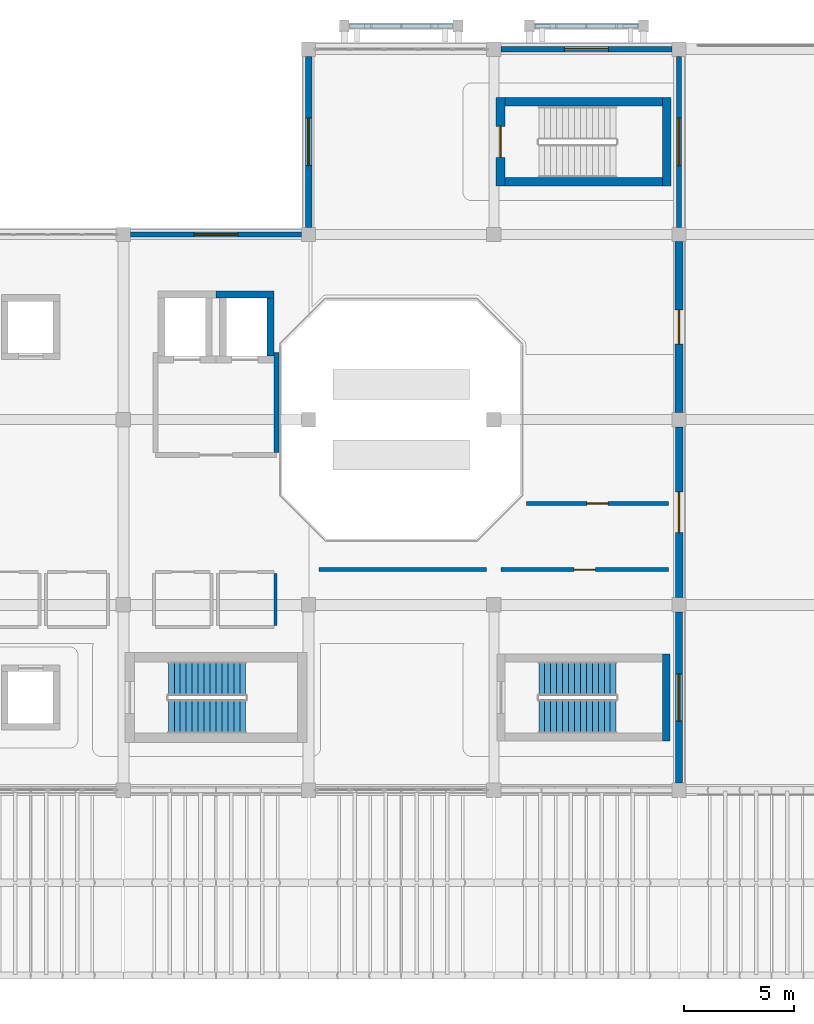
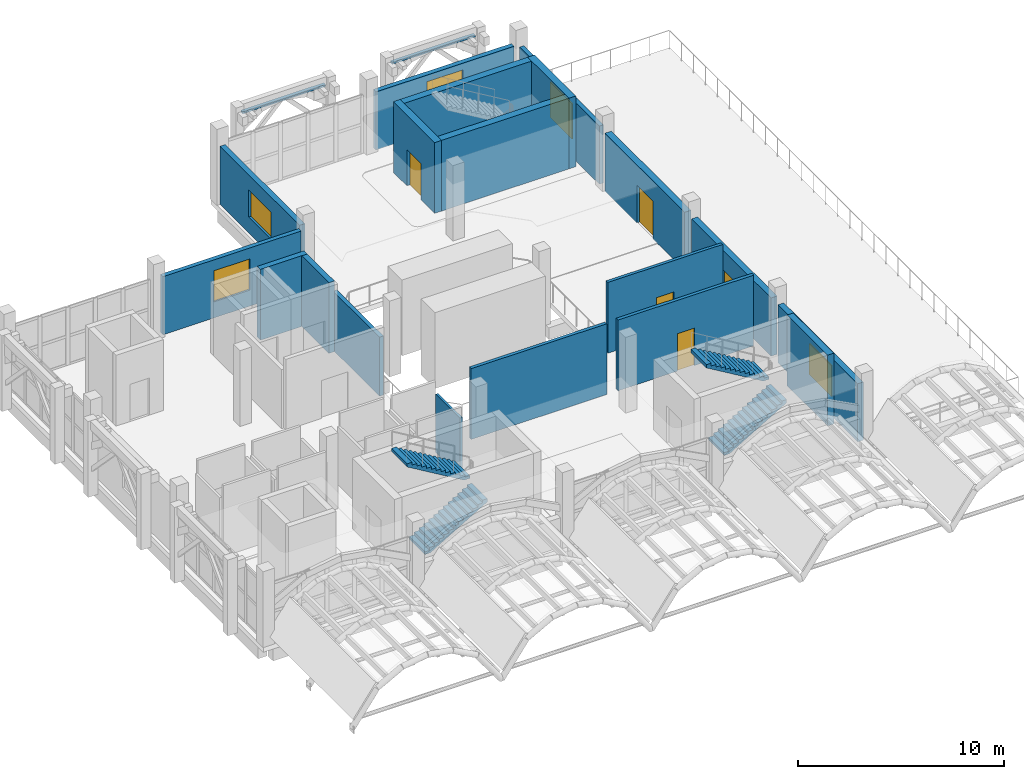
# One storey, part 17 of 22: 21 walls, 5 doors, 5 windows, 4 stair flights, 10 openings, 2 elements without a shape of their own.
"""IFC4 building model written with IfcOpenShell, lengths in metres."""

from ifc_helpers import new_model, si_unit, direction, frame, frame_2d, origin, place, context, subcontext, project, spatial, polyline, rectangle, outline, extrude, material, layer, layer_set, type_object, element, fill, aggregate, save


model = new_model("IFC4")

# Units and contexts
model_context = context("Model", 3, precision=1e-05, world=origin(), true_north=direction((0.0, 1.0)))
body_context = subcontext(model_context, "Body", "Model", "MODEL_VIEW")
ifc_project = project(units=[si_unit("LENGTHUNIT", "METRE"), si_unit("AREAUNIT", "SQUARE_METRE"), si_unit("VOLUMEUNIT", "CUBIC_METRE"), si_unit("PLANEANGLEUNIT", "RADIAN"), si_unit("MASSUNIT", "GRAM", prefix="KILO")], contexts=[model_context])

# Site, building, storey
site_placement = place(None, origin())
site = spatial("IfcSite", under=ifc_project, at=site_placement, CompositionType="ELEMENT")
building_placement = place(site_placement, origin())
building = spatial("IfcBuilding", under=site, at=building_placement, Name="Xazarin Passage Department Store", CompositionType="ELEMENT")
storey_placement = place(building_placement, frame((0.0, 0.0, 27.89990234375)))
storey = spatial("IfcBuildingStorey", under=building, at=storey_placement, Name="L06", CompositionType="ELEMENT", Elevation=27.89990234375)

# Wall, opening, door
ifc_material_1 = material(Name="Buff Baku clay brick", Category="masonry")
ifc_layer_1 = layer(ifc_material_1, 0.169921875)
ifc_layer_set_1 = layer_set([ifc_layer_1], Name="Buff Baku clay brick")
wall_type_1 = type_object("IfcWallType", Name="ARC-W-CMP170", PredefinedType="PARTITIONING", material=ifc_layer_set_1)
wall_1_placement = place(storey_placement, frame((26.673583984375, 89.39990234375, 0.0), z_axis=(0.0, 0.0, 1.0), x_axis=(1.0, 0.0, 0.0)))
wall_1 = element("IfcWall", 1, at=wall_1_placement, inside=storey, type_object=wall_type_1, Name="L06 Customer Service Lounge Front Wall 0290", PredefinedType="PARTITIONING", context=body_context, shape_type="SweptSolid", body=[
    extrude(rectangle(XDim=6.456298828125, YDim=0.169921875, at=frame_2d((3.22802734375, 0.0))), origin(), (0.0, 0.0, 1.0), 4.2001953125),
])
opening_1_placement = place(wall_1_placement, frame((2.748291015625, 0.0, 0.0)))
opening_1 = element("IfcOpeningElement", 2, at=opening_1_placement, cuts=wall_1, Name="Opening ID13", PredefinedType="OPENING", context=body_context, shape_type="SweptSolid", body=[
    extrude(rectangle(XDim=0.9599609375, YDim=2.340087890625, at=frame_2d((0.47998046875, 1.169921875))), frame((0.0, 0.094970703125, 0.0), z_axis=(0.0, -1.0, 0.0), x_axis=(1.0, 0.0, 0.0)), (0.0, 0.0, 1.0), 0.18994140625),
])
ifc_material_2 = material(Name="Timber acoustic leaf", Category="wood")
door_type_1 = type_object("IfcDoorType", Name="ARC-DR-ID13", OperationType="NOTDEFINED", PredefinedType="DOOR", material=ifc_material_2)
door_1_placement = place(opening_1_placement, origin())
door_1 = element("IfcDoor", 3, at=door_1_placement, inside=storey, type_object=door_type_1, Name="DR-INT-L06-0290", OperationType="SINGLE_SWING_RIGHT", OverallHeight=2.340087890625, OverallWidth=0.9599609375, PredefinedType="DOOR", context=body_context, shape_type="SweptSolid", body=[
    extrude(rectangle(XDim=0.9599609375, YDim=2.340087890625, at=frame_2d((0.47998046875, 1.169921875))), frame((0.0, 0.02490234375, 0.0), z_axis=(0.0, -1.0, 0.0), x_axis=(1.0, 0.0, 0.0)), (0.0, 0.0, 1.0), 0.050048828125),
])
fill(opening_1, door_1)

# Wall
ifc_layer_2 = layer(ifc_material_1, 0.18505859375)
ifc_layer_set_2 = layer_set([ifc_layer_2], Name="Buff Baku clay brick")
wall_type_2 = type_object("IfcWallType", Name="ARC-W-CMP185", PredefinedType="PARTITIONING", material=ifc_layer_set_2)
wall_2_placement = place(storey_placement, frame((17.27001953125, 86.39990234375, 0.0), z_axis=(0.0, 0.0, 1.0), x_axis=(1.0, 0.0, 0.0)))
element("IfcWall", 4, at=wall_2_placement, inside=storey, type_object=wall_type_2, Name="L06 Customer Service Lounge Front Wall 0288", PredefinedType="PARTITIONING", context=body_context, shape_type="SweptSolid", body=[
    extrude(rectangle(XDim=7.60986328125, YDim=0.18505859375, at=frame_2d((3.804931640625, 0.0))), origin(), (0.0, 0.0, 1.0), 4.2001953125),
])

# Wall, opening, door
wall_3_placement = place(storey_placement, frame((25.52001953125, 86.39990234375, 0.0), z_axis=(0.0, 0.0, 1.0), x_axis=(1.0, 0.0, 0.0)))
wall_3 = element("IfcWall", 5, at=wall_3_placement, inside=storey, type_object=wall_type_2, Name="L06 Customer Service Lounge Front Wall 0289", PredefinedType="PARTITIONING", context=body_context, shape_type="SweptSolid", body=[
    extrude(rectangle(XDim=7.60986328125, YDim=0.18505859375, at=frame_2d((3.804931640625, 0.0))), origin(), (0.0, 0.0, 1.0), 4.2001953125),
])
opening_2_placement = place(wall_3_placement, frame((3.324951171875, 0.0, 0.0)))
opening_2 = element("IfcOpeningElement", 6, at=opening_2_placement, cuts=wall_3, Name="Opening ID12", PredefinedType="OPENING", context=body_context, shape_type="SweptSolid", body=[
    extrude(rectangle(XDim=0.9599609375, YDim=2.219970703125, at=frame_2d((0.47998046875, 1.10986328125))), frame((0.0, 0.1025390625, 0.0), z_axis=(0.0, -1.0, 0.0), x_axis=(1.0, 0.0, 0.0)), (0.0, 0.0, 1.0), 0.205078125),
])
door_type_2 = type_object("IfcDoorType", Name="ARC-DR-ID12", OperationType="NOTDEFINED", PredefinedType="DOOR", material=ifc_material_2)
door_2_placement = place(opening_2_placement, origin())
door_2 = element("IfcDoor", 7, at=door_2_placement, inside=storey, type_object=door_type_2, Name="DR-INT-L06-0289", OperationType="SINGLE_SWING_LEFT", OverallHeight=2.219970703125, OverallWidth=0.9599609375, PredefinedType="DOOR", context=body_context, shape_type="SweptSolid", body=[
    extrude(rectangle(XDim=0.9599609375, YDim=2.219970703125, at=frame_2d((0.47998046875, 1.10986328125))), frame((0.0, 0.02490234375, 0.0), z_axis=(0.0, -1.0, 0.0), x_axis=(1.0, 0.0, 0.0)), (0.0, 0.0, 1.0), 0.050048828125),
])
fill(opening_2, door_2)

# Wall, opening, window
ifc_material_3 = material(Name="Precast concrete C40/50", Category="concrete")
ifc_layer_3 = layer(ifc_material_3, 0.239990234375)
ifc_layer_set_3 = layer_set([ifc_layer_3], Name="Precast concrete C40/50")
wall_type_3 = type_object("IfcWallType", Name="ARC-W-EXT240", PredefinedType="SOLIDWALL", material=ifc_layer_set_3)
wall_4_placement = place(storey_placement, frame((8.72509765625, 101.60009765625, 0.0), z_axis=(0.0, 0.0, 1.0), x_axis=(1.0, 0.0, 0.0)))
wall_4 = element("IfcWall", 8, at=wall_4_placement, inside=storey, type_object=wall_type_3, Name="L06 V1 Exterior Wall 071", PredefinedType="SOLIDWALL", context=body_context, shape_type="SweptSolid", body=[
    extrude(rectangle(XDim=7.75, YDim=0.239990234375, at=frame_2d((3.875, 0.0))), origin(), (0.0, 0.0, 1.0), 3.4501953125),
])
opening_3_placement = place(wall_4_placement, frame((2.875, 0.0, 0.949951171875)))
opening_3 = element("IfcOpeningElement", 9, at=opening_3_placement, cuts=wall_4, Name="Opening W31", PredefinedType="OPENING", context=body_context, shape_type="SweptSolid", body=[
    extrude(rectangle(XDim=2.0, YDim=1.85009765625, at=frame_2d((1.0, 0.925048828125))), frame((0.0, 0.1298828125, 0.0), z_axis=(0.0, -1.0, 0.0), x_axis=(1.0, 0.0, 0.0)), (0.0, 0.0, 1.0), 0.260009765625),
])
ifc_material_4 = material(Name="Low-E laminated safety glass", Category="glass")
window_type_1 = type_object("IfcWindowType", Name="ARC-WIN-W31", PartitioningType="DOUBLE_PANEL_VERTICAL", PredefinedType="WINDOW", material=ifc_material_4)
window_1_placement = place(opening_3_placement, origin())
window_1 = element("IfcWindow", 10, at=window_1_placement, inside=storey, type_object=window_type_1, Name="L06 V1 Facade Window 0031", OverallHeight=1.85009765625, OverallWidth=2.0, PartitioningType="DOUBLE_PANEL_VERTICAL", PredefinedType="WINDOW", context=body_context, shape_type="SweptSolid", body=[
    extrude(rectangle(XDim=2.0, YDim=1.85009765625, at=frame_2d((1.0, 0.925048828125))), frame((0.0, 0.030029296875, 0.0), z_axis=(0.0, -1.0, 0.0), x_axis=(1.0, 0.0, 0.0)), (0.0, 0.0, 1.0), 0.06005859375),
])
fill(opening_3, window_1)

wall_5_placement = place(storey_placement, frame((33.60009765625, 101.925048828125, 0.0), z_axis=(0.0, 0.0, 1.0), x_axis=(0.0, 1.0, 0.0)))
wall_5 = element("IfcWall", 11, at=wall_5_placement, inside=storey, type_object=wall_type_3, Name="L06 V1 Exterior Wall 078", PredefinedType="SOLIDWALL", context=body_context, shape_type="SweptSolid", body=[
    extrude(rectangle(XDim=7.75, YDim=0.239990234375, at=frame_2d((3.875, 0.0))), origin(), (0.0, 0.0, 1.0), 3.4501953125),
])
opening_4_placement = place(wall_5_placement, frame((2.800048828125, 0.0, 0.949951171875)))
opening_4 = element("IfcOpeningElement", 12, at=opening_4_placement, cuts=wall_5, Name="Opening W36", PredefinedType="OPENING", context=body_context, shape_type="SweptSolid", body=[
    extrude(rectangle(XDim=2.14990234375, YDim=2.10009765625, at=frame_2d((1.074951171875, 1.050048828125))), frame((0.0, 0.1298828125, 0.0), z_axis=(0.0, -1.0, 0.0), x_axis=(1.0, 0.0, 0.0)), (0.0, 0.0, 1.0), 0.260009765625),
])
window_type_2 = type_object("IfcWindowType", Name="ARC-WIN-W36", PartitioningType="DOUBLE_PANEL_VERTICAL", PredefinedType="WINDOW", material=ifc_material_4)
window_2_placement = place(opening_4_placement, origin())
window_2 = element("IfcWindow", 13, at=window_2_placement, inside=storey, type_object=window_type_2, Name="L06 V1 Facade Window 0036", OverallHeight=2.10009765625, OverallWidth=2.14990234375, PartitioningType="DOUBLE_PANEL_VERTICAL", PredefinedType="WINDOW", context=body_context, shape_type="SweptSolid", body=[
    extrude(rectangle(XDim=2.14990234375, YDim=2.10009765625, at=frame_2d((1.074951171875, 1.050048828125))), frame((0.0, 0.030029296875, 0.0), z_axis=(0.0, -1.0, 0.0), x_axis=(1.0, 0.0, 0.0)), (0.0, 0.0, 1.0), 0.06005859375),
])
fill(opening_4, window_2)

ifc_layer_4 = layer(ifc_material_3, 0.260009765625)
ifc_layer_set_4 = layer_set([ifc_layer_4], Name="Precast concrete C40/50")
wall_type_4 = type_object("IfcWallType", Name="ARC-W-EXT260", PredefinedType="SOLIDWALL", material=ifc_layer_set_4)
wall_6_placement = place(storey_placement, frame((25.52490234375, 110.0, 0.0), z_axis=(0.0, 0.0, 1.0), x_axis=(1.0, 0.0, 0.0)))
wall_6 = element("IfcWall", 14, at=wall_6_placement, inside=storey, type_object=wall_type_4, Name="L06 V1 Exterior Wall 072", PredefinedType="SOLIDWALL", context=body_context, shape_type="SweptSolid", body=[
    extrude(rectangle(XDim=7.75, YDim=0.260009765625, at=frame_2d((3.875, 0.0))), origin(), (0.0, 0.0, 1.0), 3.4501953125),
])
opening_5_placement = place(wall_6_placement, frame((2.875, 0.0, 0.949951171875)))
opening_5 = element("IfcOpeningElement", 15, at=opening_5_placement, cuts=wall_6, Name="Opening W32", PredefinedType="OPENING", context=body_context, shape_type="SweptSolid", body=[
    extrude(rectangle(XDim=2.0, YDim=2.10009765625, at=frame_2d((1.0, 1.050048828125))), frame((0.0, 0.139892578125, 0.0), z_axis=(0.0, -1.0, 0.0), x_axis=(1.0, 0.0, 0.0)), (0.0, 0.0, 1.0), 0.280029296875),
])
window_type_3 = type_object("IfcWindowType", Name="ARC-WIN-W32", PartitioningType="DOUBLE_PANEL_VERTICAL", PredefinedType="WINDOW", material=ifc_material_4)
window_3_placement = place(opening_5_placement, origin())
window_3 = element("IfcWindow", 16, at=window_3_placement, inside=storey, type_object=window_type_3, Name="L06 V1 Facade Window 0032", OverallHeight=2.10009765625, OverallWidth=2.0, PartitioningType="DOUBLE_PANEL_VERTICAL", PredefinedType="WINDOW", context=body_context, shape_type="SweptSolid", body=[
    extrude(rectangle(XDim=2.0, YDim=2.10009765625, at=frame_2d((1.0, 1.050048828125))), frame((0.0, 0.030029296875, 0.0), z_axis=(0.0, -1.0, 0.0), x_axis=(1.0, 0.0, 0.0)), (0.0, 0.0, 1.0), 0.06005859375),
])
fill(opening_5, window_3)

ifc_layer_5 = layer(ifc_material_3, 0.300048828125)
ifc_layer_set_5 = layer_set([ifc_layer_5], Name="Precast concrete C40/50")
wall_type_5 = type_object("IfcWallType", Name="ARC-W-EXT300", PredefinedType="SOLIDWALL", material=ifc_layer_set_5)
wall_7_placement = place(storey_placement, frame((16.800048828125, 101.925048828125, 0.0), z_axis=(0.0, 0.0, 1.0), x_axis=(0.0, 1.0, 0.0)))
wall_7 = element("IfcWall", 17, at=wall_7_placement, inside=storey, type_object=wall_type_5, Name="L06 V1 Exterior Wall 074", PredefinedType="SOLIDWALL", context=body_context, shape_type="SweptSolid", body=[
    extrude(rectangle(XDim=7.75, YDim=0.300048828125, at=frame_2d((3.875, 0.0))), origin(), (0.0, 0.0, 1.0), 3.4501953125),
])
opening_6_placement = place(wall_7_placement, frame((2.800048828125, 0.0, 0.949951171875)))
opening_6 = element("IfcOpeningElement", 18, at=opening_6_placement, cuts=wall_7, Name="Opening W34", PredefinedType="OPENING", context=body_context, shape_type="SweptSolid", body=[
    extrude(rectangle(XDim=2.14990234375, YDim=1.60009765625, at=frame_2d((1.074951171875, 0.800048828125))), frame((0.0, 0.159912109375, 0.0), z_axis=(0.0, -1.0, 0.0), x_axis=(1.0, 0.0, 0.0)), (0.0, 0.0, 1.0), 0.320068359375),
])
window_type_4 = type_object("IfcWindowType", Name="ARC-WIN-W34", PartitioningType="DOUBLE_PANEL_VERTICAL", PredefinedType="WINDOW", material=ifc_material_4)
window_4_placement = place(opening_6_placement, origin())
window_4 = element("IfcWindow", 19, at=window_4_placement, inside=storey, type_object=window_type_4, Name="L06 V1 Facade Window 0034", OverallHeight=1.60009765625, OverallWidth=2.14990234375, PartitioningType="DOUBLE_PANEL_VERTICAL", PredefinedType="WINDOW", context=body_context, shape_type="SweptSolid", body=[
    extrude(rectangle(XDim=2.14990234375, YDim=1.60009765625, at=frame_2d((1.074951171875, 0.800048828125))), frame((0.0, 0.030029296875, 0.0), z_axis=(0.0, -1.0, 0.0), x_axis=(1.0, 0.0, 0.0)), (0.0, 0.0, 1.0), 0.06005859375),
])
fill(opening_6, window_4)

ifc_layer_6 = layer(ifc_material_1, 0.320068359375)
ifc_layer_set_6 = layer_set([ifc_layer_6], Name="Buff Baku clay brick")
wall_type_6 = type_object("IfcWallType", Name="ARC-W-EXT320", PredefinedType="SOLIDWALL", material=ifc_layer_set_6)
wall_8_placement = place(storey_placement, frame((33.60009765625, 76.72509765625, 0.0), z_axis=(0.0, 0.0, 1.0), x_axis=(0.0, 1.0, 0.0)))
wall_8 = element("IfcWall", 20, at=wall_8_placement, inside=storey, type_object=wall_type_6, Name="L06 V1 Exterior Wall 075", PredefinedType="SOLIDWALL", context=body_context, shape_type="SweptSolid", body=[
    extrude(rectangle(XDim=7.75, YDim=0.320068359375, at=frame_2d((3.875, 0.0))), origin(), (0.0, 0.0, 1.0), 3.4501953125),
])
opening_7_placement = place(wall_8_placement, frame((2.800048828125, 0.0, 0.949951171875)))
opening_7 = element("IfcOpeningElement", 21, at=opening_7_placement, cuts=wall_8, Name="Opening W35", PredefinedType="OPENING", context=body_context, shape_type="SweptSolid", body=[
    extrude(rectangle(XDim=2.14990234375, YDim=1.85009765625, at=frame_2d((1.074951171875, 0.925048828125))), frame((0.0, 0.169921875, 0.0), z_axis=(0.0, -1.0, 0.0), x_axis=(1.0, 0.0, 0.0)), (0.0, 0.0, 1.0), 0.340087890625),
])
window_type_5 = type_object("IfcWindowType", Name="ARC-WIN-W35", PartitioningType="DOUBLE_PANEL_VERTICAL", PredefinedType="WINDOW", material=ifc_material_4)
window_5_placement = place(opening_7_placement, origin())
window_5 = element("IfcWindow", 22, at=window_5_placement, inside=storey, type_object=window_type_5, Name="L06 V1 Facade Window 0035", OverallHeight=1.85009765625, OverallWidth=2.14990234375, PartitioningType="DOUBLE_PANEL_VERTICAL", PredefinedType="WINDOW", context=body_context, shape_type="SweptSolid", body=[
    extrude(rectangle(XDim=2.14990234375, YDim=1.85009765625, at=frame_2d((1.074951171875, 0.925048828125))), frame((0.0, 0.030029296875, 0.0), z_axis=(0.0, -1.0, 0.0), x_axis=(1.0, 0.0, 0.0)), (0.0, 0.0, 1.0), 0.06005859375),
])
fill(opening_7, window_5)

# Wall, opening, door
ifc_material_5 = material(Name="Absheron limestone cladding", Category="masonry")
ifc_layer_7 = layer(ifc_material_5, 0.340087890625)
ifc_layer_set_7 = layer_set([ifc_layer_7], Name="Absheron limestone cladding")
wall_type_7 = type_object("IfcWallType", Name="ARC-W-EXT340", PredefinedType="SOLIDWALL", material=ifc_layer_set_7)
wall_9_placement = place(storey_placement, frame((33.60009765625, 85.125, 0.0), z_axis=(0.0, 0.0, 1.0), x_axis=(0.0, 1.0, 0.0)))
wall_9 = element("IfcWall", 23, at=wall_9_placement, inside=storey, type_object=wall_type_7, Name="L06 V1 Exterior Wall 076", PredefinedType="SOLIDWALL", context=body_context, shape_type="SweptSolid", body=[
    extrude(rectangle(XDim=7.75, YDim=0.340087890625, at=frame_2d((3.875, 0.0))), origin(), (0.0, 0.0, 1.0), 3.4501953125),
])
opening_8_placement = place(wall_9_placement, frame((2.949951171875, 0.0, 0.0)))
opening_8 = element("IfcOpeningElement", 24, at=opening_8_placement, cuts=wall_9, Name="Opening TD1", PredefinedType="OPENING", context=body_context, shape_type="SweptSolid", body=[
    extrude(rectangle(XDim=1.85009765625, YDim=2.300048828125, at=frame_2d((0.925048828125, 1.14990234375))), frame((0.0, 0.179931640625, 0.0), z_axis=(0.0, -1.0, 0.0), x_axis=(1.0, 0.0, 0.0)), (0.0, 0.0, 1.0), 0.360107421875),
])
ifc_material_6 = material(Name="Bronze anodised aluminium", Category="aluminium")
door_type_3 = type_object("IfcDoorType", Name="ARC-DR-TER185", OperationType="NOTDEFINED", PredefinedType="DOOR", material=ifc_material_6)
door_3_placement = place(opening_8_placement, origin())
door_3 = element("IfcDoor", 25, at=door_3_placement, inside=storey, type_object=door_type_3, Name="DR-TER-L06-010", OperationType="DOUBLE_DOOR_SINGLE_SWING", OverallHeight=2.300048828125, OverallWidth=1.85009765625, PredefinedType="DOOR", context=body_context, shape_type="SweptSolid", body=[
    extrude(rectangle(XDim=1.85009765625, YDim=2.300048828125, at=frame_2d((0.925048828125, 1.14990234375))), frame((0.0, 0.02490234375, 0.0), z_axis=(0.0, -1.0, 0.0), x_axis=(1.0, 0.0, 0.0)), (0.0, 0.0, 1.0), 0.050048828125),
])
fill(opening_8, door_3)

ifc_layer_8 = layer(ifc_material_5, 0.360107421875)
ifc_layer_set_8 = layer_set([ifc_layer_8], Name="Absheron limestone cladding")
wall_type_8 = type_object("IfcWallType", Name="ARC-W-EXT360", PredefinedType="SOLIDWALL", material=ifc_layer_set_8)
wall_10_placement = place(storey_placement, frame((33.60009765625, 93.52490234375, 0.0), z_axis=(0.0, 0.0, 1.0), x_axis=(0.0, 1.0, 0.0)))
wall_10 = element("IfcWall", 26, at=wall_10_placement, inside=storey, type_object=wall_type_8, Name="L06 V1 Exterior Wall 077", PredefinedType="SOLIDWALL", context=body_context, shape_type="SweptSolid", body=[
    extrude(rectangle(XDim=7.75, YDim=0.360107421875, at=frame_2d((3.875, 0.0))), origin(), (0.0, 0.0, 1.0), 3.4501953125),
])
opening_9_placement = place(wall_10_placement, frame((3.10009765625, 0.0, 0.0)))
opening_9 = element("IfcOpeningElement", 27, at=opening_9_placement, cuts=wall_10, Name="Opening TD2", PredefinedType="OPENING", context=body_context, shape_type="SweptSolid", body=[
    extrude(rectangle(XDim=1.550048828125, YDim=2.25, at=frame_2d((0.77490234375, 1.125))), frame((0.0, 0.18994140625, 0.0), z_axis=(0.0, -1.0, 0.0), x_axis=(1.0, 0.0, 0.0)), (0.0, 0.0, 1.0), 0.380126953125),
])
door_type_4 = type_object("IfcDoorType", Name="ARC-DR-TER155", OperationType="NOTDEFINED", PredefinedType="DOOR", material=ifc_material_6)
door_4_placement = place(opening_9_placement, origin())
door_4 = element("IfcDoor", 28, at=door_4_placement, inside=storey, type_object=door_type_4, Name="DR-TER-L06-011", OperationType="SINGLE_SWING_RIGHT", OverallHeight=2.25, OverallWidth=1.550048828125, PredefinedType="DOOR", context=body_context, shape_type="SweptSolid", body=[
    extrude(rectangle(XDim=1.550048828125, YDim=2.25, at=frame_2d((0.77490234375, 1.125))), frame((0.0, 0.02490234375, 0.0), z_axis=(0.0, -1.0, 0.0), x_axis=(1.0, 0.0, 0.0)), (0.0, 0.0, 1.0), 0.050048828125),
])
fill(opening_9, door_4)

# Walls
ifc_material_7 = material(Name="Concrete C35/45", Category="concrete")
ifc_layer_9 = layer(ifc_material_7, 0.22509765625)
ifc_layer_set_9 = layer_set([ifc_layer_9], Name="Concrete C35/45")
wall_type_9 = type_object("IfcWallType", Name="ARC-W-FIR225", PredefinedType="PARTITIONING", material=ifc_layer_set_9)
wall_11_placement = place(storey_placement, frame((15.35009765625, 91.7099609375, 0.0), z_axis=(0.0, 0.0, 1.0), x_axis=(0.0, 1.0, 0.0)))
element("IfcWall", 29, at=wall_11_placement, inside=storey, type_object=wall_type_9, Name="L06 Firefighting Lift Lobby East Wall 0024", PredefinedType="PARTITIONING", context=body_context, shape_type="SweptSolid", body=[
    extrude(rectangle(XDim=4.530029296875, YDim=0.22509765625, at=frame_2d((2.26513671875, 0.0))), origin(), (0.0, 0.0, 1.0), 3.5),
])
ifc_layer_10 = layer(ifc_material_3, 0.18994140625)
ifc_layer_set_10 = layer_set([ifc_layer_10], Name="Precast concrete C40/50")
wall_type_10 = type_object("IfcWallType", Name="ARC-W-PAR190", PredefinedType="PARAPET", material=ifc_layer_set_10)
wall_12_placement = place(storey_placement, frame((18.669921875, 111.050048828125, 3.880126953125), z_axis=(0.0, 0.0, 1.0), x_axis=(1.0, 0.0, 0.0)))
element("IfcWall", 30, at=wall_12_placement, inside=storey, type_object=wall_type_10, Name="L06 V1 Pierced-Arch Spandrel Lintel 0007", PredefinedType="PARAPET", context=body_context, shape_type="SweptSolid", body=[
    extrude(rectangle(XDim=4.66015625, YDim=0.18994140625, at=frame_2d((2.330078125, 0.0))), origin(), (0.0, 0.0, 1.0), 0.119873046875),
])
wall_13_placement = place(storey_placement, frame((27.070068359375, 111.050048828125, 3.880126953125), z_axis=(0.0, 0.0, 1.0), x_axis=(1.0, 0.0, 0.0)))
element("IfcWall", 31, at=wall_13_placement, inside=storey, type_object=wall_type_10, Name="L06 V1 Pierced-Arch Spandrel Lintel 0015", PredefinedType="PARAPET", context=body_context, shape_type="SweptSolid", body=[
    extrude(rectangle(XDim=4.659912109375, YDim=0.18994140625, at=frame_2d((2.330078125, 0.0))), origin(), (0.0, 0.0, 1.0), 0.119873046875),
])
ifc_material_8 = material(Name="Moisture-resistant masonry partition", Category="masonry")
ifc_layer_11 = layer(ifc_material_8, 0.139892578125)
ifc_layer_set_11 = layer_set([ifc_layer_11], Name="Moisture-resistant masonry partition")
wall_type_11 = type_object("IfcWallType", Name="ARC-W-PRT140", PredefinedType="PARTITIONING", material=ifc_layer_set_11)
wall_14_placement = place(storey_placement, frame((15.300048828125, 83.8701171875, 0.0), z_axis=(0.0, 0.0, 1.0), x_axis=(0.0, 1.0, 0.0)))
element("IfcWall", 32, at=wall_14_placement, inside=storey, type_object=wall_type_11, Name="L06 Staff WC Side Wall 0287", PredefinedType="PARTITIONING", context=body_context, shape_type="SweptSolid", body=[
    extrude(rectangle(XDim=2.35986328125, YDim=0.139892578125, at=frame_2d((1.179931640625, 0.0))), origin(), (0.0, 0.0, 1.0), 3.4501953125),
])
ifc_material_9 = material(Name="Concrete C40/50", Category="concrete")
ifc_layer_12 = layer(ifc_material_9, 0.31005859375)
ifc_layer_set_12 = layer_set([ifc_layer_12], Name="Concrete C40/50")
wall_type_12 = type_object("IfcWallType", Name="STR-W-LFT310", PredefinedType="SHEAR", material=ifc_layer_set_12)
wall_15_placement = place(storey_placement, frame((12.60009765625, 98.875, 0.0), z_axis=(0.0, 0.0, 1.0), x_axis=(1.0, 0.0, 0.0)))
element("IfcWall", 33, at=wall_15_placement, inside=storey, type_object=wall_type_12, Name="L06 Lift FL2 Shaft Wall North", PredefinedType="SHEAR", context=body_context, shape_type="SweptSolid", body=[
    extrude(rectangle(XDim=2.6298828125, YDim=0.31005859375, at=frame_2d((1.31494140625, 0.0))), origin(), (0.0, 0.0, 1.0), 4.2001953125),
])
wall_16_placement = place(storey_placement, frame((15.074951171875, 96.080078125, 0.0), z_axis=(0.0, 0.0, 1.0), x_axis=(0.0, 1.0, 0.0)))
element("IfcWall", 34, at=wall_16_placement, inside=storey, type_object=wall_type_12, Name="L06 Lift FL2 Shaft Wall East", PredefinedType="SHEAR", context=body_context, shape_type="SweptSolid", body=[
    extrude(rectangle(XDim=2.639892578125, YDim=0.31005859375, at=frame_2d((1.31982421875, 0.0))), origin(), (0.0, 0.0, 1.0), 4.2001953125),
])
ifc_layer_13 = layer(ifc_material_9, 0.35009765625)
ifc_layer_set_13 = layer_set([ifc_layer_13], Name="Concrete C40/50")
wall_type_13 = type_object("IfcWallType", Name="STR-W-SHR350", PredefinedType="SHEAR", material=ifc_layer_set_13)
wall_17_placement = place(storey_placement, frame((33.02490234375, 78.6298828125, 0.0), z_axis=(0.0, 0.0, 1.0), x_axis=(0.0, 1.0, 0.0)))
element("IfcWall", 35, at=wall_17_placement, inside=storey, type_object=wall_type_13, Name="L06 Core K3 East Shear Wall", PredefinedType="SHEAR", context=body_context, shape_type="SweptSolid", body=[
    extrude(rectangle(XDim=3.940185546875, YDim=0.35009765625, at=frame_2d((1.97021484375, 0.0))), origin(), (0.0, 0.0, 1.0), 4.2001953125),
])

# Wall, opening, door
ifc_layer_14 = layer(ifc_material_9, 0.389892578125)
ifc_layer_set_14 = layer_set([ifc_layer_14], Name="Concrete C40/50")
wall_type_14 = type_object("IfcWallType", Name="STR-W-SHR390", PredefinedType="SHEAR", material=ifc_layer_set_14)
wall_18_placement = place(storey_placement, frame((25.5048828125, 107.81005859375, 0.0), z_axis=(0.0, 0.0, 1.0), x_axis=(0.0, -1.0, 0.0)))
wall_18 = element("IfcWall", 36, at=wall_18_placement, inside=storey, type_object=wall_type_14, Name="L06 Core K2 West Shear Wall", PredefinedType="SHEAR", context=body_context, shape_type="SweptSolid", body=[
    extrude(rectangle(XDim=4.02001953125, YDim=0.389892578125, at=frame_2d((2.010009765625, 0.0))), origin(), (0.0, 0.0, 1.0), 4.2001953125),
])
opening_10_placement = place(wall_18_placement, frame((1.31005859375, 0.0, 0.0)))
opening_10 = element("IfcOpeningElement", 37, at=opening_10_placement, cuts=wall_18, Name="Opening FD2", PredefinedType="OPENING", context=body_context, shape_type="SweptSolid", body=[
    extrude(rectangle(XDim=1.39990234375, YDim=2.14990234375, at=frame_2d((0.699951171875, 1.074951171875))), frame((0.0, 0.204833984375, 0.0), z_axis=(0.0, -1.0, 0.0), x_axis=(1.0, 0.0, 0.0)), (0.0, 0.0, 1.0), 0.409912109375),
])
ifc_material_10 = material(Name="Steel S355", Category="steel")
door_type_5 = type_object("IfcDoorType", Name="ARC-DR-STR140", OperationType="NOTDEFINED", PredefinedType="DOOR", material=ifc_material_10)
door_5_placement = place(opening_10_placement, origin())
door_5 = element("IfcDoor", 38, at=door_5_placement, inside=storey, type_object=door_type_5, Name="DR-STR-K2-L06", OperationType="SINGLE_SWING_RIGHT", OverallHeight=2.14990234375, OverallWidth=1.39990234375, PredefinedType="DOOR", context=body_context, shape_type="SweptSolid", body=[
    extrude(rectangle(XDim=1.39990234375, YDim=2.14990234375, at=frame_2d((0.699951171875, 1.074951171875))), frame((0.0, 0.02490234375, 0.0), z_axis=(0.0, -1.0, 0.0), x_axis=(1.0, 0.0, 0.0)), (0.0, 0.0, 1.0), 0.050048828125),
])
fill(opening_10, door_5)

# Walls
wall_19_placement = place(storey_placement, frame((33.044921875, 103.7900390625, 0.0), z_axis=(0.0, 0.0, 1.0), x_axis=(0.0, 1.0, 0.0)))
element("IfcWall", 39, at=wall_19_placement, inside=storey, type_object=wall_type_14, Name="L06 Core K2 East Shear Wall", PredefinedType="SHEAR", context=body_context, shape_type="SweptSolid", body=[
    extrude(rectangle(XDim=4.02001953125, YDim=0.389892578125, at=frame_2d((2.010009765625, 0.0))), origin(), (0.0, 0.0, 1.0), 4.2001953125),
])
for number, where, z_axis, x_axis, name in (
    (40, (25.699951171875, 103.985107421875, 0.0), (0.0, 0.0, 1.0), (1.0, 0.0, 0.0), "L06 Core K2 South Shear Wall"),
    (41, (25.699951171875, 107.614990234375, 0.0), (0.0, 0.0, 1.0), (1.0, 0.0, 0.0), "L06 Core K2 North Shear Wall"),
):
    element("IfcWall", number, at=place(storey_placement, frame(where, z_axis=z_axis, x_axis=x_axis)), inside=storey, type_object=wall_type_14, Name=name, PredefinedType="SHEAR", context=body_context, shape_type="SweptSolid", body=[
        extrude(rectangle(XDim=7.150146484375, YDim=0.389892578125, at=frame_2d((3.5751953125, 0.0))), origin(), (0.0, 0.0, 1.0), 4.2001953125),
    ])

# Stair, stair flights
stair_type = type_object("IfcStairType", Name="ARC-ST-TYP", PredefinedType="HALF_TURN_STAIR", material=ifc_material_7)
stair_1_placement = place(storey_placement, origin())
stair_1 = element("IfcStair", 42, at=stair_1_placement, inside=storey, type_object=stair_type, Name="L06 Exit Stair ST1", PredefinedType="HALF_TURN_STAIR")
stair_flight_type = type_object("IfcStairFlightType", Name="ARC-SFL-TYP", PredefinedType="STRAIGHT", material=ifc_material_7)
stair_flight_1_placement = place(storey_placement, frame((10.43994140625, 79.739990234375, 0.0), z_axis=(0.0, 0.0, 1.0), x_axis=(1.0, 0.0, 0.0)))
stair_flight_1 = element("IfcStairFlight", 43, at=stair_flight_1_placement, type_object=stair_flight_type, Name="ST1 flight 1", NumberOfRisers=14, NumberOfTreads=13, PredefinedType="STRAIGHT", RiserHeight=0.160714286, TreadLength=0.27, context=body_context, shape_type="SweptSolid", body=[
    extrude(outline(polyline([(0.0, 0.0), (0.0, 0.16064453125), (0.27001953125, 0.16064453125), (0.27001953125, 0.321533203125), (0.5400390625, 0.321533203125), (0.5400390625, 0.482177734375), (0.81005859375, 0.482177734375), (0.81005859375, 0.642822265625), (1.080078125, 0.642822265625), (1.080078125, 0.803466796875), (1.35009765625, 0.803466796875), (1.35009765625, 0.96435546875), (1.6201171875, 0.96435546875), (1.6201171875, 1.125), (1.889892578125, 1.125), (1.889892578125, 1.28564453125), (2.159912109375, 1.28564453125), (2.159912109375, 1.446533203125), (2.429931640625, 1.446533203125), (2.429931640625, 1.607177734375), (2.699951171875, 1.607177734375), (2.699951171875, 1.767822265625), (2.969970703125, 1.767822265625), (2.969970703125, 1.928466796875), (3.239990234375, 1.928466796875), (3.239990234375, 2.08935546875), (3.510009765625, 2.08935546875), (3.510009765625, 2.25), (3.510009765625, 1.903076171875), (0.312744140625, 0.0), (0.0, 0.0)])), frame((0.0, 0.760009765625, 0.0), z_axis=(0.0, -1.0, 0.0), x_axis=(1.0, 0.0, 0.0)), (0.0, 0.0, 1.0), 1.52001953125),
])
stair_flight_2_placement = place(storey_placement, frame((13.949951171875, 81.4599609375, 2.25), z_axis=(0.0, 0.0, 1.0), x_axis=(-1.0, 0.0, 0.0)))
stair_flight_2 = element("IfcStairFlight", 44, at=stair_flight_2_placement, type_object=stair_flight_type, Name="ST1 flight 2", NumberOfRisers=14, NumberOfTreads=13, PredefinedType="STRAIGHT", RiserHeight=0.160714286, TreadLength=0.27, context=body_context, shape_type="SweptSolid", body=[
    extrude(outline(polyline([(0.0, 0.0), (0.0, 0.16064453125), (0.27001953125, 0.16064453125), (0.27001953125, 0.321533203125), (0.5400390625, 0.321533203125), (0.5400390625, 0.482177734375), (0.81005859375, 0.482177734375), (0.81005859375, 0.642822265625), (1.080078125, 0.642822265625), (1.080078125, 0.803466796875), (1.35009765625, 0.803466796875), (1.35009765625, 0.96435546875), (1.6201171875, 0.96435546875), (1.6201171875, 1.125), (1.889892578125, 1.125), (1.889892578125, 1.28564453125), (2.159912109375, 1.28564453125), (2.159912109375, 1.446533203125), (2.429931640625, 1.446533203125), (2.429931640625, 1.607177734375), (2.699951171875, 1.607177734375), (2.699951171875, 1.767822265625), (2.969970703125, 1.767822265625), (2.969970703125, 1.928466796875), (3.239990234375, 1.928466796875), (3.239990234375, 2.08935546875), (3.510009765625, 2.08935546875), (3.510009765625, 2.25), (3.510009765625, 1.903076171875), (0.312744140625, 0.0), (0.0, 0.0)])), frame((0.0, 0.760009765625, 0.0), z_axis=(0.0, -1.0, 0.0), x_axis=(1.0, 0.0, 0.0)), (0.0, 0.0, 1.0), 1.52001953125),
])
aggregate(stair_1, [stair_flight_1, stair_flight_2])

stair_2_placement = place(storey_placement, origin())
stair_2 = element("IfcStair", 45, at=stair_2_placement, inside=storey, type_object=stair_type, Name="L06 Exit Stair ST3", PredefinedType="HALF_TURN_STAIR")
stair_flight_3_placement = place(storey_placement, frame((27.239990234375, 79.739990234375, 0.0), z_axis=(0.0, 0.0, 1.0), x_axis=(1.0, 0.0, 0.0)))
stair_flight_3 = element("IfcStairFlight", 46, at=stair_flight_3_placement, type_object=stair_flight_type, Name="ST3 flight 1", NumberOfRisers=14, NumberOfTreads=13, PredefinedType="STRAIGHT", RiserHeight=0.160714286, TreadLength=0.27, context=body_context, shape_type="SweptSolid", body=[
    extrude(outline(polyline([(0.0, 0.0), (0.0, 0.16064453125), (0.27001953125, 0.16064453125), (0.27001953125, 0.321533203125), (0.5400390625, 0.321533203125), (0.5400390625, 0.482177734375), (0.81005859375, 0.482177734375), (0.81005859375, 0.642822265625), (1.080078125, 0.642822265625), (1.080078125, 0.803466796875), (1.35009765625, 0.803466796875), (1.35009765625, 0.96435546875), (1.6201171875, 0.96435546875), (1.6201171875, 1.125), (1.889892578125, 1.125), (1.889892578125, 1.28564453125), (2.159912109375, 1.28564453125), (2.159912109375, 1.446533203125), (2.429931640625, 1.446533203125), (2.429931640625, 1.607177734375), (2.699951171875, 1.607177734375), (2.699951171875, 1.767822265625), (2.969970703125, 1.767822265625), (2.969970703125, 1.928466796875), (3.239990234375, 1.928466796875), (3.239990234375, 2.08935546875), (3.510009765625, 2.08935546875), (3.510009765625, 2.25), (3.510009765625, 1.903076171875), (0.312744140625, 0.0), (0.0, 0.0)])), frame((0.0, 0.760009765625, 0.0), z_axis=(0.0, -1.0, 0.0), x_axis=(1.0, 0.0, 0.0)), (0.0, 0.0, 1.0), 1.52001953125),
])
stair_flight_4_placement = place(storey_placement, frame((30.75, 81.4599609375, 2.25), z_axis=(0.0, 0.0, 1.0), x_axis=(-1.0, 0.0, 0.0)))
stair_flight_4 = element("IfcStairFlight", 47, at=stair_flight_4_placement, type_object=stair_flight_type, Name="ST3 flight 2", NumberOfRisers=14, NumberOfTreads=13, PredefinedType="STRAIGHT", RiserHeight=0.160714286, TreadLength=0.27, context=body_context, shape_type="SweptSolid", body=[
    extrude(outline(polyline([(0.0, 0.0), (0.0, 0.16064453125), (0.27001953125, 0.16064453125), (0.27001953125, 0.321533203125), (0.5400390625, 0.321533203125), (0.5400390625, 0.482177734375), (0.81005859375, 0.482177734375), (0.81005859375, 0.642822265625), (1.080078125, 0.642822265625), (1.080078125, 0.803466796875), (1.35009765625, 0.803466796875), (1.35009765625, 0.96435546875), (1.6201171875, 0.96435546875), (1.6201171875, 1.125), (1.889892578125, 1.125), (1.889892578125, 1.28564453125), (2.159912109375, 1.28564453125), (2.159912109375, 1.446533203125), (2.429931640625, 1.446533203125), (2.429931640625, 1.607177734375), (2.699951171875, 1.607177734375), (2.699951171875, 1.767822265625), (2.969970703125, 1.767822265625), (2.969970703125, 1.928466796875), (3.239990234375, 1.928466796875), (3.239990234375, 2.08935546875), (3.510009765625, 2.08935546875), (3.510009765625, 2.25), (3.510009765625, 1.903076171875), (0.312744140625, 0.0), (0.0, 0.0)])), frame((0.0, 0.760009765625, 0.0), z_axis=(0.0, -1.0, 0.0), x_axis=(1.0, 0.0, 0.0)), (0.0, 0.0, 1.0), 1.52001953125),
])
aggregate(stair_2, [stair_flight_3, stair_flight_4])

save(model, "model.ifc")
